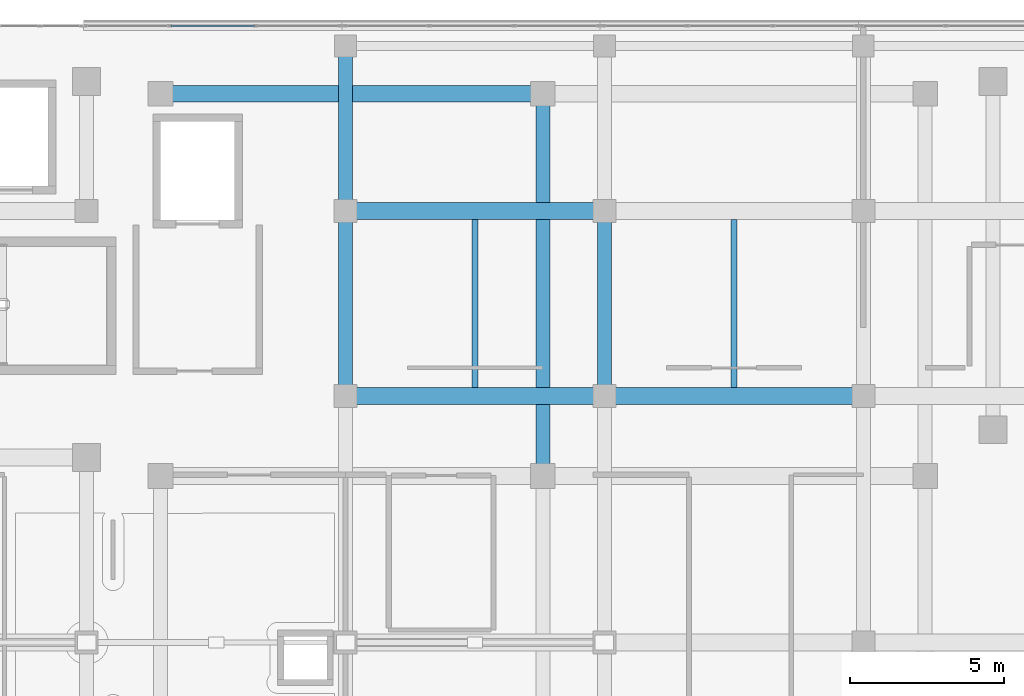
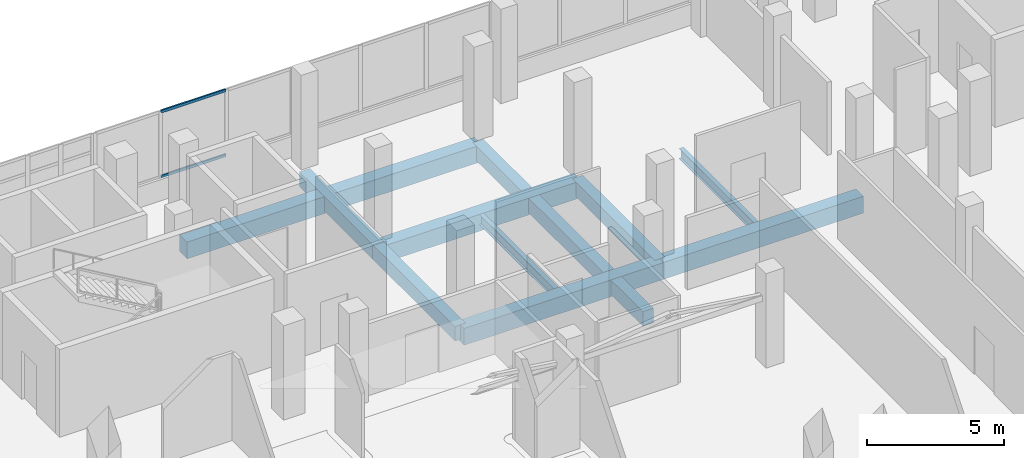
# One storey, part 99 of 184: 10 beams, 2 members, 1 element without a shape of its own.
"""IFC4 building model written with IfcOpenShell, lengths in metres."""

from ifc_helpers import new_model, si_unit, direction, frame, origin, origin_2d, place, context, subcontext, project, spatial, rectangle, hollow_rectangle, i_section, extrude, material, material_profile, profile_set, type_object, element, aggregate, save


model = new_model("IFC4")

# Units and contexts
model_context = context("Model", 3, precision=1e-05, world=origin(), true_north=direction((0.0, 1.0)))
body_context = subcontext(model_context, "Body", "Model", "MODEL_VIEW")
ifc_project = project(units=[si_unit("LENGTHUNIT", "METRE"), si_unit("AREAUNIT", "SQUARE_METRE"), si_unit("VOLUMEUNIT", "CUBIC_METRE"), si_unit("PLANEANGLEUNIT", "RADIAN"), si_unit("MASSUNIT", "GRAM", prefix="KILO")], contexts=[model_context])

# Site, building, storey
site_placement = place(None, origin())
site = spatial("IfcSite", under=ifc_project, at=site_placement, CompositionType="ELEMENT")
building_placement = place(site_placement, origin())
building = spatial("IfcBuilding", under=site, at=building_placement, Name="Selatvlak General Hospital", CompositionType="ELEMENT")
storey_placement = place(building_placement, frame((0.0, 0.0, 15.0)))
storey = spatial("IfcBuildingStorey", under=building, at=storey_placement, Name="L03", CompositionType="ELEMENT", Elevation=15.0)

# Beams
ifc_material_1 = material(Name="Concrete C40/50", Category="concrete")
ifc_material_profile_1 = material_profile(ifc_material_1, rectangle(XDim=0.550048828125, YDim=0.75, at=origin_2d()), Name="RC-BM 550x750")
ifc_profile_set_1 = profile_set([ifc_material_profile_1], Name="Concrete C40/50")
beam_type_1 = type_object("IfcBeamType", Name="BM-G02", PredefinedType="BEAM", material=ifc_profile_set_1)
beam_1_placement = place(storey_placement, frame((64.800048828125, 108.0, -0.715087890625), z_axis=(1.0, 0.0, 0.0), x_axis=(0.0, 1.0, 0.0)))
element("IfcBeam", 1, at=beam_1_placement, inside=storey, type_object=beam_type_1, Name="Beam BMR-L03-1252", PredefinedType="BEAM", context=body_context, shape_type="SweptSolid", body=[
    extrude(rectangle(XDim=0.550048828125, YDim=0.75, at=origin_2d()), origin(), (0.0, 0.0, 1.0), 8.39990234375),
])
beam_2_placement = place(storey_placement, frame((73.199951171875, 108.0, -0.715087890625), z_axis=(1.0, 0.0, 0.0), x_axis=(0.0, 1.0, 0.0)))
element("IfcBeam", 2, at=beam_2_placement, inside=storey, type_object=beam_type_1, Name="Beam BMR-L03-1253", PredefinedType="BEAM", context=body_context, shape_type="SweptSolid", body=[
    extrude(rectangle(XDim=0.550048828125, YDim=0.75, at=origin_2d()), origin(), (0.0, 0.0, 1.0), 8.400146484375),
])
beam_3_placement = place(storey_placement, frame((64.800048828125, 114.0, -0.715087890625), z_axis=(1.0, 0.0, 0.0), x_axis=(0.0, 1.0, 0.0)))
element("IfcBeam", 3, at=beam_3_placement, inside=storey, type_object=beam_type_1, Name="Beam BMR-L03-1266", PredefinedType="BEAM", context=body_context, shape_type="SweptSolid", body=[
    extrude(rectangle(XDim=0.550048828125, YDim=0.75, at=origin_2d()), origin(), (0.0, 0.0, 1.0), 8.39990234375),
])
beam_4_placement = place(storey_placement, frame((58.800048828125, 117.800048828125, -0.715087890625), z_axis=(1.0, 0.0, 0.0), x_axis=(0.0, 1.0, 0.0)))
element("IfcBeam", 4, at=beam_4_placement, inside=storey, type_object=beam_type_1, Name="Beam BMR-L03-1275", PredefinedType="BEAM", context=body_context, shape_type="SweptSolid", body=[
    extrude(rectangle(XDim=0.550048828125, YDim=0.75, at=origin_2d()), origin(), (0.0, 0.0, 1.0), 12.39990234375),
])
ifc_material_profile_2 = material_profile(ifc_material_1, rectangle(XDim=0.449951171875, YDim=0.64990234375, at=origin_2d()), Name="RC-BM 450x650")
ifc_profile_set_2 = profile_set([ifc_material_profile_2], Name="Concrete C40/50")
beam_type_2 = type_object("IfcBeamType", Name="BM-G04", PredefinedType="BEAM", material=ifc_profile_set_2)
beam_5_placement = place(storey_placement, frame((64.800048828125, 108.0, -0.6650390625), z_axis=(0.0, 1.0, 0.0), x_axis=(-1.0, 0.0, 0.0)))
element("IfcBeam", 5, at=beam_5_placement, inside=storey, type_object=beam_type_2, Name="Beam BMR-L03-1324", PredefinedType="BEAM", context=body_context, shape_type="SweptSolid", body=[
    extrude(rectangle(XDim=0.449951171875, YDim=0.64990234375, at=origin_2d()), origin(), (0.0, 0.0, 1.0), 6.0),
])
beam_6_placement = place(storey_placement, frame((64.800048828125, 114.0, -0.6650390625), z_axis=(0.0, 1.0, 0.0), x_axis=(-1.0, 0.0, 0.0)))
element("IfcBeam", 6, at=beam_6_placement, inside=storey, type_object=beam_type_2, Name="Beam BMR-L03-1325", PredefinedType="BEAM", context=body_context, shape_type="SweptSolid", body=[
    extrude(rectangle(XDim=0.449951171875, YDim=0.64990234375, at=origin_2d()), origin(), (0.0, 0.0, 1.0), 5.35009765625),
])
beam_7_placement = place(storey_placement, frame((71.199951171875, 105.39990234375, -0.6650390625), z_axis=(0.0, 1.0, 0.0), x_axis=(-1.0, 0.0, 0.0)))
element("IfcBeam", 7, at=beam_7_placement, inside=storey, type_object=beam_type_2, Name="Beam BMR-L03-1327", PredefinedType="BEAM", context=body_context, shape_type="SweptSolid", body=[
    extrude(rectangle(XDim=0.449951171875, YDim=0.64990234375, at=origin_2d()), origin(), (0.0, 0.0, 1.0), 12.400146484375),
])
beam_8_placement = place(storey_placement, frame((73.199951171875, 108.0, -0.6650390625), z_axis=(0.0, 1.0, 0.0), x_axis=(-1.0, 0.0, 0.0)))
element("IfcBeam", 8, at=beam_8_placement, inside=storey, type_object=beam_type_2, Name="Beam BMR-L03-1331", PredefinedType="BEAM", context=body_context, shape_type="SweptSolid", body=[
    extrude(rectangle(XDim=0.449951171875, YDim=0.64990234375, at=origin_2d()), origin(), (0.0, 0.0, 1.0), 6.0),
])
ifc_material_2 = material(Name="Steel S355", Category="steel")
ifc_material_profile_3 = material_profile(ifc_material_2, i_section(OverallWidth=0.1904296875, OverallDepth=0.45703125, WebThickness=0.009033203125, FlangeThickness=0.014404296875, at=origin_2d()), Name="UB 457x191x74")
ifc_profile_set_3 = profile_set([ifc_material_profile_3], Name="Steel S355")
beam_type_3 = type_object("IfcBeamType", Name="BM-J03", PredefinedType="JOIST", material=ifc_profile_set_3)
for number, where, z_axis, x_axis, name in (
    (9, (69.0, 108.27490234375, -0.569091796875), (0.0, 1.0, 0.0), (-1.0, 0.0, 0.0), "Beam BMR-L03-1442"),
    (10, (77.39990234375, 108.27490234375, -0.569091796875), (0.0, 1.0, 0.0), (-1.0, 0.0, 0.0), "Beam BMR-L03-1443"),
):
    element("IfcBeam", number, at=place(storey_placement, frame(where, z_axis=z_axis, x_axis=x_axis)), inside=storey, type_object=beam_type_3, Name=name, PredefinedType="JOIST", context=body_context, shape_type="SweptSolid", body=[
        extrude(i_section(OverallWidth=0.1904296875, OverallDepth=0.45703125, WebThickness=0.009033203125, FlangeThickness=0.014404296875, at=origin_2d()), origin(), (0.0, 0.0, 1.0), 5.4501953125),
    ])

# Curtain wall, members
ifc_material_3 = material(Name="Solar-control Low-E double glazing", Category="glass")
curtain_wall_type = type_object("IfcCurtainWallType", Name="CW-CW-02", PredefinedType="USERDEFINED", material=ifc_material_3)
curtain_wall_placement = place(storey_placement, origin())
curtain_wall = element("IfcCurtainWall", 11, at=curtain_wall_placement, inside=storey, type_object=curtain_wall_type, Name="Glazed facade curtain wall CW-L03-0369", ObjectType="UNITISED CURTAIN WALL", PredefinedType="USERDEFINED")
ifc_material_4 = material(Name="Dark anodised aluminium mullion", Category="aluminium")
ifc_material_profile_4 = material_profile(ifc_material_4, hollow_rectangle(XDim=0.06494140625, YDim=0.1201171875, WallThickness=0.00390625, at=origin_2d()), Name="AL-TRN 65x120x4")
ifc_profile_set_4 = profile_set([ifc_material_profile_4], Name="Dark anodised aluminium mullion")
member_type = type_object("IfcMemberType", Name="CWT-01", PredefinedType="USERDEFINED", material=ifc_profile_set_4)
member_1_placement = place(storey_placement, frame((59.130859375, 119.9990234375, 0.972412109375), z_axis=(1.0, 0.0, 0.0), x_axis=(0.0, 1.0, 0.0)))
member_1 = element("IfcMember", 12, at=member_1_placement, type_object=member_type, Name="CW-02 transom 2.1", ObjectType="TRANSOM", PredefinedType="USERDEFINED", context=body_context, shape_type="SweptSolid", body=[
    extrude(hollow_rectangle(XDim=0.06494140625, YDim=0.1201171875, WallThickness=0.00390625, at=origin_2d()), origin(), (0.0, 0.0, 1.0), 2.71826171875),
])
member_2_placement = place(storey_placement, frame((59.130859375, 119.9990234375, 3.862548828125), z_axis=(1.0, 0.0, 0.0), x_axis=(0.0, 1.0, 0.0)))
member_2 = element("IfcMember", 13, at=member_2_placement, type_object=member_type, Name="CW-02 transom 2.2", ObjectType="TRANSOM", PredefinedType="USERDEFINED", context=body_context, shape_type="SweptSolid", body=[
    extrude(hollow_rectangle(XDim=0.06494140625, YDim=0.1201171875, WallThickness=0.00390625, at=origin_2d()), origin(), (0.0, 0.0, 1.0), 2.71826171875),
])
aggregate(curtain_wall, [member_1, member_2])

save(model, "model.ifc")
